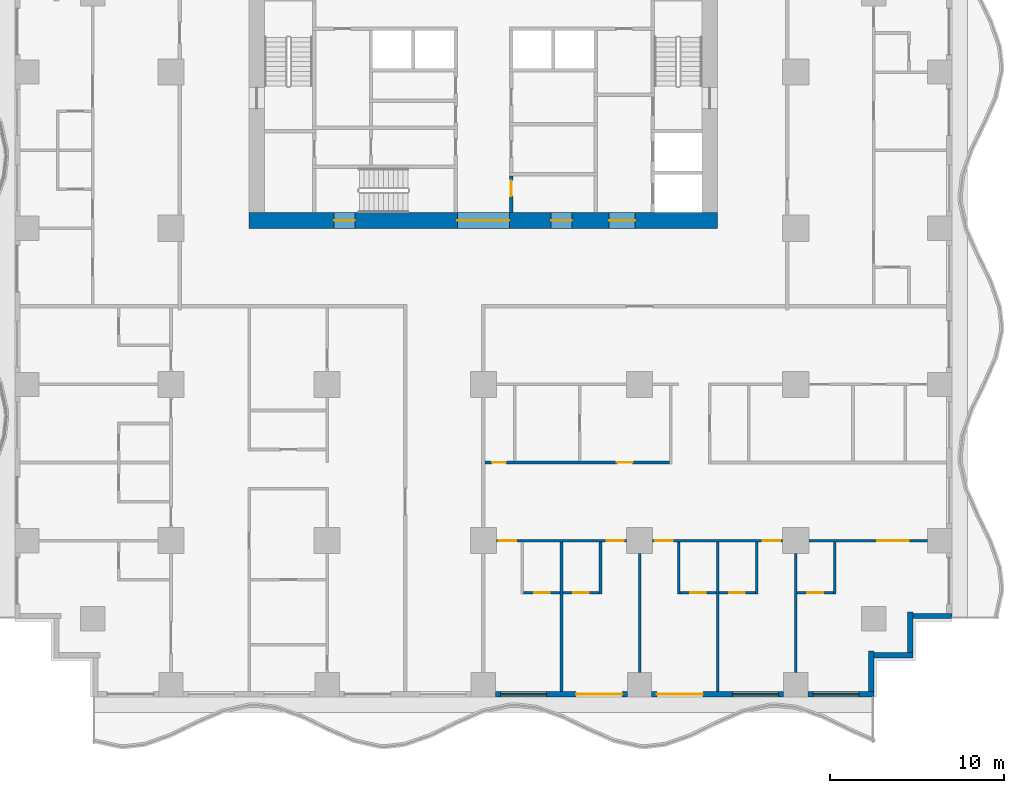
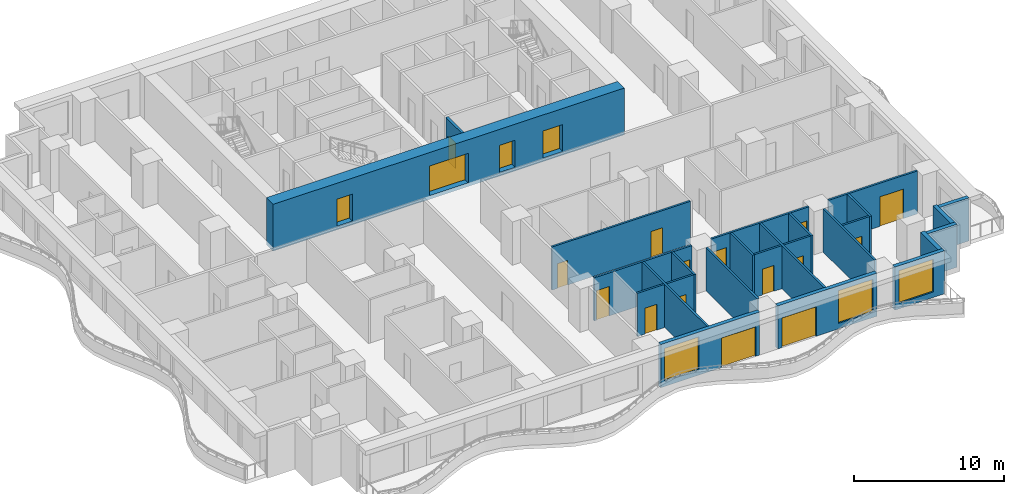
# One storey, part 3 of 14: 26 walls, 19 doors, 3 windows, 22 openings.
"""IFC4 building model written with IfcOpenShell, lengths in metres."""

import ifcopenshell
import ifcopenshell.guid

model = None  # the IFC model being written
_history = None  # IfcOwnerHistory: only IFC2X3 demands one
_inside = {}  # id of a spatial element -> (the spatial element, [elements in it])
_under = {}  # id of a project, library or spatial element -> (it, [spatial elements below it])
_declared = {}  # id of a project -> (the project, [libraries it declares])
_typed = {}  # id of a type object -> (the type object, [elements of that type])
_made_of = {}  # id of a material, layer set ... -> (it, [elements and type objects made of it])


def new_model(schema):
    """Start an empty IFC model of exactly this schema.

    Asked for "IFC4X3", IfcOpenShell would pick the latest addendum, in which some entities
    have other attributes; the version numbers below select the first issue.
    IFC2X3 requires an IfcOwnerHistory on every rooted entity: one is made here for all.
    """
    global model, _history
    if schema == "IFC4X3":
        model = ifcopenshell.file(schema_version=(4, 3, 0, 0))
    else:
        model = ifcopenshell.file(schema=schema)
    _inside.clear()
    _under.clear()
    _declared.clear()
    _typed.clear()
    _made_of.clear()
    _history = None
    if model.schema == "IFC2X3":
        org = make("IfcOrganization", Name="unknown")
        user = make(
            "IfcPersonAndOrganization",
            ThePerson=make("IfcPerson", FamilyName="unknown"),
            TheOrganization=org,
        )
        app = make(
            "IfcApplication",
            ApplicationDeveloper=org,
            Version="unknown",
            ApplicationFullName="unknown",
            ApplicationIdentifier="unknown",
        )
        _history = make(
            "IfcOwnerHistory",
            OwningUser=user,
            OwningApplication=app,
            ChangeAction="ADDED",
            CreationDate=0,
        )
    return model


def make(cls, **values):
    """One entity of the class cls with the attributes given. An attribute that is None is left unset."""
    return model.create_entity(
        cls, **{name: value for name, value in values.items() if value is not None}
    )


def rooted(cls, **values):
    """An entity with a GlobalId (a new one), such as an element, a storey or a relation."""
    return make(cls, GlobalId=ifcopenshell.guid.new(), OwnerHistory=_history, **values)


def si_unit(unit_type, name, prefix=None):
    """IfcSIUnit, for example si_unit("LENGTHUNIT", "METRE", prefix="MILLI")."""
    return make("IfcSIUnit", UnitType=unit_type, Prefix=prefix, Name=name)


def assignment(units):
    """IfcUnitAssignment: the units of a project."""
    return None if units is None else make("IfcUnitAssignment", Units=units)


def point(xyz):
    """IfcCartesianPoint."""
    return None if xyz is None else make("IfcCartesianPoint", Coordinates=xyz)


def direction(xyz):
    """IfcDirection."""
    return None if xyz is None else make("IfcDirection", DirectionRatios=xyz)


def frame(location, z_axis=None, x_axis=None):
    """IfcAxis2Placement3D, a coordinate frame: its origin and axes. An axis left out is left unset."""
    return make(
        "IfcAxis2Placement3D",
        Location=point(location),
        Axis=direction(z_axis),
        RefDirection=direction(x_axis),
    )


def frame_2d(location, x_axis=None):
    """IfcAxis2Placement2D, a coordinate frame in the plane: its origin and x axis."""
    return make(
        "IfcAxis2Placement2D", Location=point(location), RefDirection=direction(x_axis)
    )


def origin():
    """The frame at (0, 0, 0) with its axes left unset."""
    return frame((0.0, 0.0, 0.0))


def place(relative_to, where):
    """IfcLocalPlacement: puts the frame where relative to a parent placement (None: the world)."""
    return make(
        "IfcLocalPlacement", PlacementRelTo=relative_to, RelativePlacement=where
    )


def context(
    kind, dimensions, precision=None, world=None, true_north=None, identifier=None
):
    """IfcGeometricRepresentationContext, for example the 3D "Model" context."""
    return make(
        "IfcGeometricRepresentationContext",
        ContextIdentifier=identifier,
        ContextType=kind,
        CoordinateSpaceDimension=dimensions,
        Precision=precision,
        WorldCoordinateSystem=world,
        TrueNorth=true_north,
    )


def subcontext(parent, identifier, kind, view, scale=None):
    """IfcGeometricRepresentationSubContext, for example "Body" below "Model"."""
    return make(
        "IfcGeometricRepresentationSubContext",
        ContextIdentifier=identifier,
        ContextType=kind,
        ParentContext=parent,
        TargetScale=scale,
        TargetView=view,
    )


def project(units=None, contexts=None):
    """IfcProject with its units and contexts."""
    return rooted(
        "IfcProject",
        Name="project",
        RepresentationContexts=contexts,
        UnitsInContext=assignment(units),
    )


def spatial(cls, under=None, at=None, **own):
    """A site, building, storey or space (cls), placed at a placement, below another one or the project."""
    s = rooted(cls, ObjectPlacement=at, **own)
    if under is not None:
        _under.setdefault(under.id(), (under, []))[1].append(s)
    return s


def profile(cls, at=None, kind="AREA", **sizes):
    """A parametric profile (cls). Its sizes go by their IFC names, for example OverallWidth=200.0."""
    return make(cls, ProfileType=kind, Position=at, **sizes)


def rectangle(**sizes):
    """IfcRectangleProfileDef."""
    return profile("IfcRectangleProfileDef", **sizes)


def extrude(swept, where, along, depth):
    """IfcExtrudedAreaSolid: the profile swept, set in the frame where, extruded along a direction by depth."""
    return make(
        "IfcExtrudedAreaSolid",
        SweptArea=swept,
        Position=where,
        ExtrudedDirection=direction(along),
        Depth=depth,
    )


def shape(context_of_items, identifier, shape_type, items):
    """IfcShapeRepresentation: the items that make up one representation, for example the "Body"."""
    return make(
        "IfcShapeRepresentation",
        ContextOfItems=context_of_items,
        RepresentationIdentifier=identifier,
        RepresentationType=shape_type,
        Items=items,
    )


def material(Name=None, Category=None):
    """IfcMaterial."""
    return make("IfcMaterial", Name=Name, Category=Category)


def layer(
    of_material, thickness, ventilated=None, Name=None, Category=None, Priority=None
):
    """IfcMaterialLayer: one layer of a wall or slab, of a material (None: an air gap)."""
    return make(
        "IfcMaterialLayer",
        Material=of_material,
        LayerThickness=thickness,
        IsVentilated=ventilated,
        Name=Name,
        Category=Category,
        Priority=Priority,
    )


def layer_set(layers, Name=None):
    """IfcMaterialLayerSet."""
    return make("IfcMaterialLayerSet", MaterialLayers=layers, LayerSetName=Name)


def made_of(thing, what):
    """Note that an element or type object is made of a material, layer set ...; save() writes the relation."""
    if what is not None:
        _made_of.setdefault(what.id(), (what, []))[1].append(thing)
    return thing


def type_object(cls, material=None, **own):
    """A type object (cls), such as IfcWallType, which elements share."""
    return made_of(rooted(cls, **own), material)


def element(
    cls,
    number,
    at=None,
    inside=None,
    cuts=None,
    type_object=None,
    material=None,
    context=None,
    identifier="Body",
    shape_type=None,
    held_by="IfcProductDefinitionShape",
    body=None,
    shapes=None,
    **own,
):
    """One element of the class cls, such as IfcWall. Its Tag is "e" and its number.

    at: its placement. inside: the storey or other place that contains it. cuts: it is an
    opening in that element (IfcRelVoidsElement). A single representation is given by context,
    identifier, shape_type and body (its items); several are given by shapes. held_by: the class
    of the entity that holds the representations. save() writes the other relations.
    """
    e = rooted(cls, Tag="e%d" % number, ObjectPlacement=at, **own)
    if body is not None:
        shapes = [shape(context, identifier, shape_type, body)]
    if shapes is not None:
        e.Representation = make(held_by, Representations=shapes)
    if inside is not None:
        _inside.setdefault(inside.id(), (inside, []))[1].append(e)
    if cuts is not None:
        rooted(
            "IfcRelVoidsElement", RelatingBuildingElement=cuts, RelatedOpeningElement=e
        )
    if type_object is not None:
        _typed.setdefault(type_object.id(), (type_object, []))[1].append(e)
    return made_of(e, material)


def fill(opening, filler):
    """IfcRelFillsElement: the door or window that sits in an opening."""
    return rooted(
        "IfcRelFillsElement",
        RelatingOpeningElement=opening,
        RelatedBuildingElement=filler,
    )


def aggregate(whole, parts):
    """IfcRelAggregates: a whole, such as a stair, and the parts it consists of."""
    return rooted("IfcRelAggregates", RelatingObject=whole, RelatedObjects=parts)


def save(model, path):
    """Write the relations noted so far, then the file.

    IfcRelAggregates (storeys below a building ...), IfcRelContainedInSpatialStructure (elements
    in a storey), IfcRelDefinesByType, IfcRelAssociatesMaterial and IfcRelDeclares: one each for
    every whole, place, type object, material and project.
    """
    for whole, parts in _under.values():
        aggregate(whole, parts)
    for where, things in _inside.values():
        rooted(
            "IfcRelContainedInSpatialStructure",
            RelatedElements=things,
            RelatingStructure=where,
        )
    for kind, things in _typed.values():
        rooted("IfcRelDefinesByType", RelatedObjects=things, RelatingType=kind)
    for what, things in _made_of.values():
        rooted("IfcRelAssociatesMaterial", RelatedObjects=things, RelatingMaterial=what)
    for by, libraries in _declared.values():
        rooted("IfcRelDeclares", RelatingContext=by, RelatedDefinitions=libraries)
    model.write(path)


model = new_model("IFC4")

# Units and contexts
model_context = context("Model", 3, precision=1e-05, world=origin(), true_north=direction((0.0, 1.0)))
body_context = subcontext(model_context, "Body", "Model", "MODEL_VIEW")
ifc_project = project(units=[si_unit("LENGTHUNIT", "METRE"), si_unit("AREAUNIT", "SQUARE_METRE"), si_unit("VOLUMEUNIT", "CUBIC_METRE"), si_unit("PLANEANGLEUNIT", "RADIAN"), si_unit("MASSUNIT", "GRAM", prefix="KILO")], contexts=[model_context])

# Site, building, storey
site_placement = place(None, origin())
site = spatial("IfcSite", under=ifc_project, at=site_placement, CompositionType="ELEMENT")
building_placement = place(site_placement, origin())
building = spatial("IfcBuilding", under=site, at=building_placement, Name="Orbiselva Terraces", CompositionType="ELEMENT")
storey_placement = place(building_placement, frame((0.0, 0.0, 49.2)))
storey = spatial("IfcBuildingStorey", under=building, at=storey_placement, Name="L12", CompositionType="ELEMENT", Elevation=49.2)

# Wall, openings, doors
ifc_material_1 = material(Name="Concrete C80/95", Category="concrete")
ifc_layer_1 = layer(ifc_material_1, 0.9)
ifc_layer_set_1 = layer_set([ifc_layer_1], Name="Concrete C80/95")
wall_type_1 = type_object("IfcWallType", Name="CORE WALL 900", PredefinedType="SHEAR", material=ifc_layer_set_1)
wall_1_placement = place(storey_placement, frame((-13.5, 4.95, -0.3), z_axis=(0.0, 0.0, 1.0), x_axis=(1.0, 0.0, 0.0)))
wall_1 = element("IfcWall", 1, at=wall_1_placement, inside=storey, type_object=wall_type_1, Name="Core wall L12 south", PredefinedType="SHEAR", context=body_context, shape_type="SweptSolid", body=[
    extrude(rectangle(XDim=27.0, YDim=0.9, at=frame_2d((13.5, 0.0))), origin(), (0.0, 0.0, 1.0), 3.8),
])
opening_1_placement = place(wall_1_placement, frame((12.0, 0.0, 0.3)))
opening_1 = element("IfcOpeningElement", 2, at=opening_1_placement, cuts=wall_1, Name="Opening DL3000", PredefinedType="OPENING", context=body_context, shape_type="SweptSolid", body=[
    extrude(rectangle(XDim=3.0, YDim=2.4, at=frame_2d((1.5, 1.2))), frame((0.0, 0.46, 0.0), z_axis=(0.0, -1.0, 0.0), x_axis=(1.0, 0.0, 0.0)), (0.0, 0.0, 1.0), 0.92),
])
opening_2_placement = place(wall_1_placement, frame((4.9, 0.0, 0.3)))
opening_2 = element("IfcOpeningElement", 3, at=opening_2_placement, cuts=wall_1, Name="Opening DS1200", PredefinedType="OPENING", context=body_context, shape_type="SweptSolid", body=[
    extrude(rectangle(XDim=1.2, YDim=2.2, at=frame_2d((0.6, 1.1))), frame((0.0, 0.46, 0.0), z_axis=(0.0, -1.0, 0.0), x_axis=(1.0, 0.0, 0.0)), (0.0, 0.0, 1.0), 0.92),
])
opening_3_placement = place(wall_1_placement, frame((20.75, 0.0, 0.3)))
opening_3 = element("IfcOpeningElement", 4, at=opening_3_placement, cuts=wall_1, Name="Opening DF1500", PredefinedType="OPENING", context=body_context, shape_type="SweptSolid", body=[
    extrude(rectangle(XDim=1.5, YDim=2.2, at=frame_2d((0.75, 1.1))), frame((0.0, 0.46, 0.0), z_axis=(0.0, -1.0, 0.0), x_axis=(1.0, 0.0, 0.0)), (0.0, 0.0, 1.0), 0.92),
])
opening_4_placement = place(wall_1_placement, frame((17.4, 0.0, 0.3)))
opening_4 = element("IfcOpeningElement", 5, at=opening_4_placement, cuts=wall_1, Name="Opening DV1200", PredefinedType="OPENING", context=body_context, shape_type="SweptSolid", body=[
    extrude(rectangle(XDim=1.2, YDim=2.2, at=frame_2d((0.6, 1.1))), frame((0.0, 0.46, 0.0), z_axis=(0.0, -1.0, 0.0), x_axis=(1.0, 0.0, 0.0)), (0.0, 0.0, 1.0), 0.92),
])
ifc_material_2 = material(Name="Steel fire door", Category="steel")
door_type_1 = type_object("IfcDoorType", Name="FFL DOOR 1500", OperationType="DOUBLE_DOOR_SINGLE_SWING", PredefinedType="DOOR", material=ifc_material_2)
door_1_placement = place(opening_3_placement, frame((1.5, 0.0, 0.0), z_axis=(0.0, 0.0, 1.0), x_axis=(-1.0, 0.0, 0.0)))
door_1 = element("IfcDoor", 6, at=door_1_placement, inside=storey, type_object=door_type_1, Name="L12 FIRE-FIGHTING LOBBY door", OperationType="DOUBLE_DOOR_SINGLE_SWING", OverallHeight=2.2, OverallWidth=1.5, PredefinedType="DOOR", context=body_context, shape_type="SweptSolid", body=[
    extrude(rectangle(XDim=1.5, YDim=2.2, at=frame_2d((0.75, 1.1))), frame((0.0, 0.025, 0.0), z_axis=(0.0, -1.0, 0.0), x_axis=(1.0, 0.0, 0.0)), (0.0, 0.0, 1.0), 0.05),
])
fill(opening_3, door_1)
door_type_2 = type_object("IfcDoorType", Name="LOBBY DOOR 3000", OperationType="DOUBLE_DOOR_SINGLE_SWING", PredefinedType="DOOR", material=ifc_material_2)
door_2_placement = place(opening_1_placement, frame((3.0, 0.0, 0.0), z_axis=(0.0, 0.0, 1.0), x_axis=(-1.0, 0.0, 0.0)))
door_2 = element("IfcDoor", 7, at=door_2_placement, inside=storey, type_object=door_type_2, Name="L12 LIFT LOBBY door", OperationType="DOUBLE_DOOR_SINGLE_SWING", OverallHeight=2.4, OverallWidth=3.0, PredefinedType="DOOR", context=body_context, shape_type="SweptSolid", body=[
    extrude(rectangle(XDim=3.0, YDim=2.4, at=frame_2d((1.5, 1.2))), frame((0.0, 0.025, 0.0), z_axis=(0.0, -1.0, 0.0), x_axis=(1.0, 0.0, 0.0)), (0.0, 0.0, 1.0), 0.05),
])
fill(opening_1, door_2)
door_type_3 = type_object("IfcDoorType", Name="SERVICE DOOR 1200", OperationType="NOTDEFINED", PredefinedType="DOOR", material=ifc_material_2)
door_3_placement = place(opening_4_placement, frame((1.2, 0.0, 0.0), z_axis=(0.0, 0.0, 1.0), x_axis=(-1.0, 0.0, 0.0)))
door_3 = element("IfcDoor", 8, at=door_3_placement, inside=storey, type_object=door_type_3, Name="L12 ELECTRICAL RISER ROOM door", OperationType="SINGLE_SWING_RIGHT", OverallHeight=2.2, OverallWidth=1.2, PredefinedType="DOOR", context=body_context, shape_type="SweptSolid", body=[
    extrude(rectangle(XDim=1.2, YDim=2.2, at=frame_2d((0.6, 1.1))), frame((0.0, 0.025, 0.0), z_axis=(0.0, -1.0, 0.0), x_axis=(1.0, 0.0, 0.0)), (0.0, 0.0, 1.0), 0.05),
])
fill(opening_4, door_3)
door_type_4 = type_object("IfcDoorType", Name="STAIR DOOR 1200", OperationType="NOTDEFINED", PredefinedType="DOOR", material=ifc_material_2)
door_4_placement = place(opening_2_placement, frame((1.2, 0.0, 0.0), z_axis=(0.0, 0.0, 1.0), x_axis=(-1.0, 0.0, 0.0)))
door_4 = element("IfcDoor", 9, at=door_4_placement, inside=storey, type_object=door_type_4, Name="L12 EXIT STAIR S3 door", OperationType="SINGLE_SWING_LEFT", OverallHeight=2.2, OverallWidth=1.2, PredefinedType="DOOR", context=body_context, shape_type="SweptSolid", body=[
    extrude(rectangle(XDim=1.2, YDim=2.2, at=frame_2d((0.6, 1.1))), frame((0.0, 0.025, 0.0), z_axis=(0.0, -1.0, 0.0), x_axis=(1.0, 0.0, 0.0)), (0.0, 0.0, 1.0), 0.05),
])
fill(opening_2, door_4)

# Wall, opening, door
ifc_material_3 = material(Name="Masonry blockwork", Category="masonry")
ifc_layer_2 = layer(ifc_material_3, 0.2)
ifc_layer_set_2 = layer_set([ifc_layer_2], Name="Masonry blockwork")
wall_type_2 = type_object("IfcWallType", Name="CORE-WALL-PARTITION-200", PredefinedType="PARTITIONING", material=ifc_layer_set_2)
wall_2_placement = place(storey_placement, frame((1.6, 7.5, 0.0), z_axis=(0.0, 0.0, 1.0), x_axis=(0.0, -1.0, 0.0)))
wall_2 = element("IfcWall", 10, at=wall_2_placement, inside=storey, type_object=wall_type_2, Name="L12 core wall 29", PredefinedType="PARTITIONING", context=body_context, shape_type="SweptSolid", body=[
    extrude(rectangle(XDim=2.1, YDim=0.2, at=frame_2d((1.05, 0.0))), origin(), (0.0, 0.0, 1.0), 3.5),
])
opening_5_placement = place(wall_2_placement, frame((0.25, 0.0, 0.0)))
opening_5 = element("IfcOpeningElement", 11, at=opening_5_placement, cuts=wall_2, Name="Opening DR900", PredefinedType="OPENING", context=body_context, shape_type="SweptSolid", body=[
    extrude(rectangle(XDim=0.9, YDim=2.1, at=frame_2d((0.45, 1.05))), frame((0.0, 0.11, 0.0), z_axis=(0.0, -1.0, 0.0), x_axis=(1.0, 0.0, 0.0)), (0.0, 0.0, 1.0), 0.22),
])
door_type_5 = type_object("IfcDoorType", Name="ROOM DOOR 900", OperationType="NOTDEFINED", PredefinedType="DOOR", material=ifc_material_2)
door_5_placement = place(opening_5_placement, origin())
door_5 = element("IfcDoor", 12, at=door_5_placement, inside=storey, type_object=door_type_5, Name="L12 ELECTRICAL RISER ROOM door", OperationType="SINGLE_SWING_LEFT", OverallHeight=2.1, OverallWidth=0.9, PredefinedType="DOOR", context=body_context, shape_type="SweptSolid", body=[
    extrude(rectangle(XDim=0.9, YDim=2.1, at=frame_2d((0.45, 1.05))), frame((0.0, 0.025, 0.0), z_axis=(0.0, -1.0, 0.0), x_axis=(1.0, 0.0, 0.0)), (0.0, 0.0, 1.0), 0.05),
])
fill(opening_5, door_5)

# Wall, openings, door, window
ifc_material_4 = material(Name="Terracotta cladding on masonry backing", Category="masonry")
ifc_layer_3 = layer(ifc_material_4, 0.3)
ifc_layer_set_3 = layer_set([ifc_layer_3], Name="Terracotta cladding on masonry backing")
wall_type_3 = type_object("IfcWallType", Name="ENV-WALL-TERRACOTTA-300", PredefinedType="SOLIDWALL", material=ifc_layer_set_3)
wall_3_placement = place(storey_placement, frame((8.3, -22.35, 0.0), z_axis=(0.0, 0.0, 1.0), x_axis=(-1.0, 0.0, 0.0)))
wall_3 = element("IfcWall", 13, at=wall_3_placement, inside=storey, type_object=wall_type_3, Name="Facade wall L12 S", PredefinedType="SOLIDWALL", context=body_context, shape_type="SweptSolid", body=[
    extrude(rectangle(XDim=7.6, YDim=0.3, at=frame_2d((3.8, 0.0))), origin(), (0.0, 0.0, 1.0), 3.5),
])
opening_6_placement = place(wall_3_placement, frame((4.65, 0.0, 0.45)))
opening_6 = element("IfcOpeningElement", 14, at=opening_6_placement, cuts=wall_3, Name="Opening WN3", PredefinedType="OPENING", context=body_context, shape_type="SweptSolid", body=[
    extrude(rectangle(XDim=2.65, YDim=2.65, at=frame_2d((1.325, 1.325))), frame((0.0, 0.16, 0.0), z_axis=(0.0, -1.0, 0.0), x_axis=(1.0, 0.0, 0.0)), (0.0, 0.0, 1.0), 0.32),
])
opening_7_placement = place(wall_3_placement, frame((0.3, 0.0, 0.0)))
opening_7 = element("IfcOpeningElement", 15, at=opening_7_placement, cuts=wall_3, Name="Opening Z1-D-E03", PredefinedType="OPENING", context=body_context, shape_type="SweptSolid", body=[
    extrude(rectangle(XDim=2.65, YDim=2.4, at=frame_2d((1.325, 1.2))), frame((0.0, 0.16, 0.0), z_axis=(0.0, -1.0, 0.0), x_axis=(1.0, 0.0, 0.0)), (0.0, 0.0, 1.0), 0.32),
])
ifc_material_5 = material(Name="Clear low-e glazing in aluminium frame", Category="aluminium")
door_type_6 = type_object("IfcDoorType", Name="BALCONY DOOR 2650 X 2400", OperationType="DOUBLE_DOOR_SLIDING", PredefinedType="DOOR", material=ifc_material_5)
door_6_placement = place(opening_7_placement, origin())
door_6 = element("IfcDoor", 16, at=door_6_placement, inside=storey, type_object=door_type_6, Name="Z1-D-E03", OperationType="SINGLE_SWING_LEFT", OverallHeight=2.4, OverallWidth=2.65, PredefinedType="DOOR", context=body_context, shape_type="SweptSolid", body=[
    extrude(rectangle(XDim=2.65, YDim=2.4, at=frame_2d((1.325, 1.2))), frame((0.0, 0.025, 0.0), z_axis=(0.0, -1.0, 0.0), x_axis=(1.0, 0.0, 0.0)), (0.0, 0.0, 1.0), 0.05),
])
fill(opening_7, door_6)
window_type = type_object("IfcWindowType", Name="WINDOW 2650 X 2650 S450", PartitioningType="TRIPLE_PANEL_VERTICAL", PredefinedType="WINDOW", material=ifc_material_5)
window_1_placement = place(opening_6_placement, origin())
window_1 = element("IfcWindow", 17, at=window_1_placement, inside=storey, type_object=window_type, Name="Window L12 S", OverallHeight=2.65, OverallWidth=2.65, PartitioningType="SINGLE_PANEL", PredefinedType="WINDOW", context=body_context, shape_type="SweptSolid", body=[
    extrude(rectangle(XDim=2.65, YDim=2.65, at=frame_2d((1.325, 1.325))), frame((0.0, 0.03, 0.0), z_axis=(0.0, -1.0, 0.0), x_axis=(1.0, 0.0, 0.0)), (0.0, 0.0, 1.0), 0.06),
])
fill(opening_6, window_1)

wall_4_placement = place(storey_placement, frame((17.3, -22.35, 0.0), z_axis=(0.0, 0.0, 1.0), x_axis=(-1.0, 0.0, 0.0)))
wall_4 = element("IfcWall", 18, at=wall_4_placement, inside=storey, type_object=wall_type_3, Name="Facade wall L12 S", PredefinedType="SOLIDWALL", context=body_context, shape_type="SweptSolid", body=[
    extrude(rectangle(XDim=7.6, YDim=0.3, at=frame_2d((3.8, 0.0))), origin(), (0.0, 0.0, 1.0), 3.5),
])
opening_8_placement = place(wall_4_placement, frame((4.65, 0.0, 0.0)))
opening_8 = element("IfcOpeningElement", 19, at=opening_8_placement, cuts=wall_4, Name="Opening Z1-D-E04", PredefinedType="OPENING", context=body_context, shape_type="SweptSolid", body=[
    extrude(rectangle(XDim=2.65, YDim=2.4, at=frame_2d((1.325, 1.2))), frame((0.0, 0.16, 0.0), z_axis=(0.0, -1.0, 0.0), x_axis=(1.0, 0.0, 0.0)), (0.0, 0.0, 1.0), 0.32),
])
opening_9_placement = place(wall_4_placement, frame((0.3, 0.0, 0.45)))
opening_9 = element("IfcOpeningElement", 20, at=opening_9_placement, cuts=wall_4, Name="Opening WN3", PredefinedType="OPENING", context=body_context, shape_type="SweptSolid", body=[
    extrude(rectangle(XDim=2.65, YDim=2.65, at=frame_2d((1.325, 1.325))), frame((0.0, 0.16, 0.0), z_axis=(0.0, -1.0, 0.0), x_axis=(1.0, 0.0, 0.0)), (0.0, 0.0, 1.0), 0.32),
])
door_7_placement = place(opening_8_placement, origin())
door_7 = element("IfcDoor", 21, at=door_7_placement, inside=storey, type_object=door_type_6, Name="Z1-D-E04", OperationType="SINGLE_SWING_LEFT", OverallHeight=2.4, OverallWidth=2.65, PredefinedType="DOOR", context=body_context, shape_type="SweptSolid", body=[
    extrude(rectangle(XDim=2.65, YDim=2.4, at=frame_2d((1.325, 1.2))), frame((0.0, 0.025, 0.0), z_axis=(0.0, -1.0, 0.0), x_axis=(1.0, 0.0, 0.0)), (0.0, 0.0, 1.0), 0.05),
])
fill(opening_8, door_7)
window_2_placement = place(opening_9_placement, origin())
window_2 = element("IfcWindow", 22, at=window_2_placement, inside=storey, type_object=window_type, Name="Window L12 S", OverallHeight=2.65, OverallWidth=2.65, PartitioningType="SINGLE_PANEL", PredefinedType="WINDOW", context=body_context, shape_type="SweptSolid", body=[
    extrude(rectangle(XDim=2.65, YDim=2.65, at=frame_2d((1.325, 1.325))), frame((0.0, 0.03, 0.0), z_axis=(0.0, -1.0, 0.0), x_axis=(1.0, 0.0, 0.0)), (0.0, 0.0, 1.0), 0.06),
])
fill(opening_9, window_2)

# Wall, opening, window
wall_5_placement = place(storey_placement, frame((22.5, -22.35, 0.0), z_axis=(0.0, 0.0, 1.0), x_axis=(-1.0, 0.0, 0.0)))
wall_5 = element("IfcWall", 23, at=wall_5_placement, inside=storey, type_object=wall_type_3, Name="Facade wall L12 S", PredefinedType="SOLIDWALL", context=body_context, shape_type="SweptSolid", body=[
    extrude(rectangle(XDim=3.8, YDim=0.3, at=frame_2d((1.9, 0.0))), origin(), (0.0, 0.0, 1.0), 3.5),
])
opening_10_placement = place(wall_5_placement, frame((0.85, 0.0, 0.45)))
opening_10 = element("IfcOpeningElement", 24, at=opening_10_placement, cuts=wall_5, Name="Opening WN3", PredefinedType="OPENING", context=body_context, shape_type="SweptSolid", body=[
    extrude(rectangle(XDim=2.65, YDim=2.65, at=frame_2d((1.325, 1.325))), frame((0.0, 0.16, 0.0), z_axis=(0.0, -1.0, 0.0), x_axis=(1.0, 0.0, 0.0)), (0.0, 0.0, 1.0), 0.32),
])
window_3_placement = place(opening_10_placement, origin())
window_3 = element("IfcWindow", 25, at=window_3_placement, inside=storey, type_object=window_type, Name="Window L12 S", OverallHeight=2.65, OverallWidth=2.65, PartitioningType="SINGLE_PANEL", PredefinedType="WINDOW", context=body_context, shape_type="SweptSolid", body=[
    extrude(rectangle(XDim=2.65, YDim=2.65, at=frame_2d((1.325, 1.325))), frame((0.0, 0.03, 0.0), z_axis=(0.0, -1.0, 0.0), x_axis=(1.0, 0.0, 0.0)), (0.0, 0.0, 1.0), 0.06),
])
fill(opening_10, window_3)

# Walls
wall_6_placement = place(storey_placement, frame((22.35, -19.85, 0.0), z_axis=(0.0, 0.0, 1.0), x_axis=(0.0, -1.0, 0.0)))
element("IfcWall", 26, at=wall_6_placement, inside=storey, type_object=wall_type_3, Name="Facade wall L12 STEP", PredefinedType="SOLIDWALL", context=body_context, shape_type="SweptSolid", body=[
    extrude(rectangle(XDim=2.35, YDim=0.3, at=frame_2d((1.175, 0.0))), origin(), (0.0, 0.0, 1.0), 3.5),
])
wall_7_placement = place(storey_placement, frame((24.75, -20.1, 0.0), z_axis=(0.0, 0.0, 1.0), x_axis=(-1.0, 0.0, 0.0)))
element("IfcWall", 27, at=wall_7_placement, inside=storey, type_object=wall_type_3, Name="Facade wall L12 STEP", PredefinedType="SOLIDWALL", context=body_context, shape_type="SweptSolid", body=[
    extrude(rectangle(XDim=2.25, YDim=0.3, at=frame_2d((1.125, 0.0))), origin(), (0.0, 0.0, 1.0), 3.5),
])
wall_8_placement = place(storey_placement, frame((24.6, -17.6, 0.0), z_axis=(0.0, 0.0, 1.0), x_axis=(0.0, -1.0, 0.0)))
element("IfcWall", 28, at=wall_8_placement, inside=storey, type_object=wall_type_3, Name="Facade wall L12 STEP", PredefinedType="SOLIDWALL", context=body_context, shape_type="SweptSolid", body=[
    extrude(rectangle(XDim=2.35, YDim=0.3, at=frame_2d((1.175, 0.0))), origin(), (0.0, 0.0, 1.0), 3.5),
])
wall_9_placement = place(storey_placement, frame((27.0, -17.85, 0.0), z_axis=(0.0, 0.0, 1.0), x_axis=(-1.0, 0.0, 0.0)))
element("IfcWall", 29, at=wall_9_placement, inside=storey, type_object=wall_type_3, Name="Facade wall L12 STEP", PredefinedType="SOLIDWALL", context=body_context, shape_type="SweptSolid", body=[
    extrude(rectangle(XDim=2.25, YDim=0.3, at=frame_2d((1.125, 0.0))), origin(), (0.0, 0.0, 1.0), 3.5),
])

# Wall, opening, door
ifc_material_6 = material(Name="Plasterboard on steel stud partition", Category="steel")
ifc_layer_4 = layer(ifc_material_6, 0.15)
ifc_layer_set_4 = layer_set([ifc_layer_4], Name="Plasterboard on steel stud partition")
wall_type_4 = type_object("IfcWallType", Name="UNIT-PARTITION-150", PredefinedType="PARTITIONING", material=ifc_layer_set_4)
wall_10_placement = place(storey_placement, frame((2.325, -16.5, 0.0), z_axis=(0.0, 0.0, 1.0), x_axis=(1.0, 0.0, 0.0)))
wall_10 = element("IfcWall", 30, at=wall_10_placement, inside=storey, type_object=wall_type_4, Name="PARTITION L12-002", PredefinedType="PARTITIONING", context=body_context, shape_type="SweptSolid", body=[
    extrude(rectangle(XDim=2.1, YDim=0.15, at=frame_2d((1.05, 0.0))), origin(), (0.0, 0.0, 1.0), 3.5),
])
opening_11_placement = place(wall_10_placement, frame((0.6, 0.0, 0.0)))
opening_11 = element("IfcOpeningElement", 31, at=opening_11_placement, cuts=wall_10, Name="Opening Z1-D-44", PredefinedType="OPENING", context=body_context, shape_type="SweptSolid", body=[
    extrude(rectangle(XDim=0.9, YDim=2.1, at=frame_2d((0.45, 1.05))), frame((0.0, 0.085, 0.0), z_axis=(0.0, -1.0, 0.0), x_axis=(1.0, 0.0, 0.0)), (0.0, 0.0, 1.0), 0.17),
])
ifc_material_7 = material(Name="Painted timber door leaf", Category="wood")
door_type_7 = type_object("IfcDoorType", Name="BATH DOOR 900", OperationType="NOTDEFINED", PredefinedType="DOOR", material=ifc_material_7)
door_8_placement = place(opening_11_placement, origin())
door_8 = element("IfcDoor", 32, at=door_8_placement, inside=storey, type_object=door_type_7, Name="Z1-D-44", OperationType="SINGLE_SWING_RIGHT", OverallHeight=2.1, OverallWidth=0.9, PredefinedType="DOOR", context=body_context, shape_type="SweptSolid", body=[
    extrude(rectangle(XDim=0.9, YDim=2.1, at=frame_2d((0.45, 1.05))), frame((0.0, 0.025, 0.0), z_axis=(0.0, -1.0, 0.0), x_axis=(1.0, 0.0, 0.0)), (0.0, 0.0, 1.0), 0.05),
])
fill(opening_11, door_8)

wall_11_placement = place(storey_placement, frame((4.575, -16.5, 0.0), z_axis=(0.0, 0.0, 1.0), x_axis=(1.0, 0.0, 0.0)))
wall_11 = element("IfcWall", 33, at=wall_11_placement, inside=storey, type_object=wall_type_4, Name="PARTITION L12-003", PredefinedType="PARTITIONING", context=body_context, shape_type="SweptSolid", body=[
    extrude(rectangle(XDim=2.1, YDim=0.15, at=frame_2d((1.05, 0.0))), origin(), (0.0, 0.0, 1.0), 3.5),
])
opening_12_placement = place(wall_11_placement, frame((0.6, 0.0, 0.0)))
opening_12 = element("IfcOpeningElement", 34, at=opening_12_placement, cuts=wall_11, Name="Opening Z1-D-42", PredefinedType="OPENING", context=body_context, shape_type="SweptSolid", body=[
    extrude(rectangle(XDim=0.9, YDim=2.1, at=frame_2d((0.45, 1.05))), frame((0.0, 0.085, 0.0), z_axis=(0.0, -1.0, 0.0), x_axis=(1.0, 0.0, 0.0)), (0.0, 0.0, 1.0), 0.17),
])
door_9_placement = place(opening_12_placement, origin())
door_9 = element("IfcDoor", 35, at=door_9_placement, inside=storey, type_object=door_type_7, Name="Z1-D-42", OperationType="SINGLE_SWING_LEFT", OverallHeight=2.1, OverallWidth=0.9, PredefinedType="DOOR", context=body_context, shape_type="SweptSolid", body=[
    extrude(rectangle(XDim=0.9, YDim=2.1, at=frame_2d((0.45, 1.05))), frame((0.0, 0.025, 0.0), z_axis=(0.0, -1.0, 0.0), x_axis=(1.0, 0.0, 0.0)), (0.0, 0.0, 1.0), 0.05),
])
fill(opening_12, door_9)

wall_12_placement = place(storey_placement, frame((11.325, -16.5, 0.0), z_axis=(0.0, 0.0, 1.0), x_axis=(1.0, 0.0, 0.0)))
wall_12 = element("IfcWall", 36, at=wall_12_placement, inside=storey, type_object=wall_type_4, Name="PARTITION L12-004", PredefinedType="PARTITIONING", context=body_context, shape_type="SweptSolid", body=[
    extrude(rectangle(XDim=2.1, YDim=0.15, at=frame_2d((1.05, 0.0))), origin(), (0.0, 0.0, 1.0), 3.5),
])
opening_13_placement = place(wall_12_placement, frame((0.6, 0.0, 0.0)))
opening_13 = element("IfcOpeningElement", 37, at=opening_13_placement, cuts=wall_12, Name="Opening Z1-D-40", PredefinedType="OPENING", context=body_context, shape_type="SweptSolid", body=[
    extrude(rectangle(XDim=0.9, YDim=2.1, at=frame_2d((0.45, 1.05))), frame((0.0, 0.085, 0.0), z_axis=(0.0, -1.0, 0.0), x_axis=(1.0, 0.0, 0.0)), (0.0, 0.0, 1.0), 0.17),
])
door_10_placement = place(opening_13_placement, origin())
door_10 = element("IfcDoor", 38, at=door_10_placement, inside=storey, type_object=door_type_7, Name="Z1-D-40", OperationType="SINGLE_SWING_LEFT", OverallHeight=2.1, OverallWidth=0.9, PredefinedType="DOOR", context=body_context, shape_type="SweptSolid", body=[
    extrude(rectangle(XDim=0.9, YDim=2.1, at=frame_2d((0.45, 1.05))), frame((0.0, 0.025, 0.0), z_axis=(0.0, -1.0, 0.0), x_axis=(1.0, 0.0, 0.0)), (0.0, 0.0, 1.0), 0.05),
])
fill(opening_13, door_10)

wall_13_placement = place(storey_placement, frame((13.575, -16.5, 0.0), z_axis=(0.0, 0.0, 1.0), x_axis=(1.0, 0.0, 0.0)))
wall_13 = element("IfcWall", 39, at=wall_13_placement, inside=storey, type_object=wall_type_4, Name="PARTITION L12-005", PredefinedType="PARTITIONING", context=body_context, shape_type="SweptSolid", body=[
    extrude(rectangle(XDim=2.1, YDim=0.15, at=frame_2d((1.05, 0.0))), origin(), (0.0, 0.0, 1.0), 3.5),
])
opening_14_placement = place(wall_13_placement, frame((0.6, 0.0, 0.0)))
opening_14 = element("IfcOpeningElement", 40, at=opening_14_placement, cuts=wall_13, Name="Opening Z1-D-38", PredefinedType="OPENING", context=body_context, shape_type="SweptSolid", body=[
    extrude(rectangle(XDim=0.9, YDim=2.1, at=frame_2d((0.45, 1.05))), frame((0.0, 0.085, 0.0), z_axis=(0.0, -1.0, 0.0), x_axis=(1.0, 0.0, 0.0)), (0.0, 0.0, 1.0), 0.17),
])
door_11_placement = place(opening_14_placement, origin())
door_11 = element("IfcDoor", 41, at=door_11_placement, inside=storey, type_object=door_type_7, Name="Z1-D-38", OperationType="SINGLE_SWING_LEFT", OverallHeight=2.1, OverallWidth=0.9, PredefinedType="DOOR", context=body_context, shape_type="SweptSolid", body=[
    extrude(rectangle(XDim=0.9, YDim=2.1, at=frame_2d((0.45, 1.05))), frame((0.0, 0.025, 0.0), z_axis=(0.0, -1.0, 0.0), x_axis=(1.0, 0.0, 0.0)), (0.0, 0.0, 1.0), 0.05),
])
fill(opening_14, door_11)

wall_14_placement = place(storey_placement, frame((18.075, -16.5, 0.0), z_axis=(0.0, 0.0, 1.0), x_axis=(1.0, 0.0, 0.0)))
wall_14 = element("IfcWall", 42, at=wall_14_placement, inside=storey, type_object=wall_type_4, Name="PARTITION L12-006", PredefinedType="PARTITIONING", context=body_context, shape_type="SweptSolid", body=[
    extrude(rectangle(XDim=2.1, YDim=0.15, at=frame_2d((1.05, 0.0))), origin(), (0.0, 0.0, 1.0), 3.5),
])
opening_15_placement = place(wall_14_placement, frame((0.6, 0.0, 0.0)))
opening_15 = element("IfcOpeningElement", 43, at=opening_15_placement, cuts=wall_14, Name="Opening Z1-D-36", PredefinedType="OPENING", context=body_context, shape_type="SweptSolid", body=[
    extrude(rectangle(XDim=0.9, YDim=2.1, at=frame_2d((0.45, 1.05))), frame((0.0, 0.085, 0.0), z_axis=(0.0, -1.0, 0.0), x_axis=(1.0, 0.0, 0.0)), (0.0, 0.0, 1.0), 0.17),
])
door_12_placement = place(opening_15_placement, origin())
door_12 = element("IfcDoor", 44, at=door_12_placement, inside=storey, type_object=door_type_7, Name="Z1-D-36", OperationType="SINGLE_SWING_LEFT", OverallHeight=2.1, OverallWidth=0.9, PredefinedType="DOOR", context=body_context, shape_type="SweptSolid", body=[
    extrude(rectangle(XDim=0.9, YDim=2.1, at=frame_2d((0.45, 1.05))), frame((0.0, 0.025, 0.0), z_axis=(0.0, -1.0, 0.0), x_axis=(1.0, 0.0, 0.0)), (0.0, 0.0, 1.0), 0.05),
])
fill(opening_15, door_12)

# Wall, openings, doors
wall_15_placement = place(storey_placement, frame((8.25, -13.5, 0.0), z_axis=(0.0, 0.0, 1.0), x_axis=(-1.0, 0.0, 0.0)))
wall_15 = element("IfcWall", 45, at=wall_15_placement, inside=storey, type_object=wall_type_4, Name="PARTITION L12-010", PredefinedType="PARTITIONING", context=body_context, shape_type="SweptSolid", body=[
    extrude(rectangle(XDim=7.5, YDim=0.15, at=frame_2d((3.75, 0.0))), origin(), (0.0, 0.0, 1.0), 3.5),
])
opening_16_placement = place(wall_15_placement, frame((0.15, 0.0, 0.0)))
opening_16 = element("IfcOpeningElement", 46, at=opening_16_placement, cuts=wall_15, Name="Opening Z1-D-41", PredefinedType="OPENING", context=body_context, shape_type="SweptSolid", body=[
    extrude(rectangle(XDim=1.0, YDim=2.4, at=frame_2d((0.5, 1.2))), frame((0.0, 0.085, 0.0), z_axis=(0.0, -1.0, 0.0), x_axis=(1.0, 0.0, 0.0)), (0.0, 0.0, 1.0), 0.17),
])
opening_17_placement = place(wall_15_placement, frame((6.35, 0.0, 0.0)))
opening_17 = element("IfcOpeningElement", 47, at=opening_17_placement, cuts=wall_15, Name="Opening Z1-D-43", PredefinedType="OPENING", context=body_context, shape_type="SweptSolid", body=[
    extrude(rectangle(XDim=1.0, YDim=2.4, at=frame_2d((0.5, 1.2))), frame((0.0, 0.085, 0.0), z_axis=(0.0, -1.0, 0.0), x_axis=(1.0, 0.0, 0.0)), (0.0, 0.0, 1.0), 0.17),
])
door_type_8 = type_object("IfcDoorType", Name="ROOM DOOR 1000", OperationType="NOTDEFINED", PredefinedType="DOOR", material=ifc_material_7)
door_13_placement = place(opening_16_placement, origin())
door_13 = element("IfcDoor", 48, at=door_13_placement, inside=storey, type_object=door_type_8, Name="Z1-D-41", OperationType="SINGLE_SWING_LEFT", OverallHeight=2.4, OverallWidth=1.0, PredefinedType="DOOR", context=body_context, shape_type="SweptSolid", body=[
    extrude(rectangle(XDim=1.0, YDim=2.4, at=frame_2d((0.5, 1.2))), frame((0.0, 0.025, 0.0), z_axis=(0.0, -1.0, 0.0), x_axis=(1.0, 0.0, 0.0)), (0.0, 0.0, 1.0), 0.05),
])
fill(opening_16, door_13)
door_14_placement = place(opening_17_placement, origin())
door_14 = element("IfcDoor", 49, at=door_14_placement, inside=storey, type_object=door_type_8, Name="Z1-D-43", OperationType="SINGLE_SWING_RIGHT", OverallHeight=2.4, OverallWidth=1.0, PredefinedType="DOOR", context=body_context, shape_type="SweptSolid", body=[
    extrude(rectangle(XDim=1.0, YDim=2.4, at=frame_2d((0.5, 1.2))), frame((0.0, 0.025, 0.0), z_axis=(0.0, -1.0, 0.0), x_axis=(1.0, 0.0, 0.0)), (0.0, 0.0, 1.0), 0.05),
])
fill(opening_17, door_14)

wall_16_placement = place(storey_placement, frame((17.25, -13.5, 0.0), z_axis=(0.0, 0.0, 1.0), x_axis=(-1.0, 0.0, 0.0)))
wall_16 = element("IfcWall", 50, at=wall_16_placement, inside=storey, type_object=wall_type_4, Name="PARTITION L12-011", PredefinedType="PARTITIONING", context=body_context, shape_type="SweptSolid", body=[
    extrude(rectangle(XDim=7.5, YDim=0.15, at=frame_2d((3.75, 0.0))), origin(), (0.0, 0.0, 1.0), 3.5),
])
opening_18_placement = place(wall_16_placement, frame((0.15, 0.0, 0.0)))
opening_18 = element("IfcOpeningElement", 51, at=opening_18_placement, cuts=wall_16, Name="Opening Z1-D-37", PredefinedType="OPENING", context=body_context, shape_type="SweptSolid", body=[
    extrude(rectangle(XDim=1.0, YDim=2.4, at=frame_2d((0.5, 1.2))), frame((0.0, 0.085, 0.0), z_axis=(0.0, -1.0, 0.0), x_axis=(1.0, 0.0, 0.0)), (0.0, 0.0, 1.0), 0.17),
])
opening_19_placement = place(wall_16_placement, frame((6.35, 0.0, 0.0)))
opening_19 = element("IfcOpeningElement", 52, at=opening_19_placement, cuts=wall_16, Name="Opening Z1-D-39", PredefinedType="OPENING", context=body_context, shape_type="SweptSolid", body=[
    extrude(rectangle(XDim=1.0, YDim=2.4, at=frame_2d((0.5, 1.2))), frame((0.0, 0.085, 0.0), z_axis=(0.0, -1.0, 0.0), x_axis=(1.0, 0.0, 0.0)), (0.0, 0.0, 1.0), 0.17),
])
door_15_placement = place(opening_18_placement, origin())
door_15 = element("IfcDoor", 53, at=door_15_placement, inside=storey, type_object=door_type_8, Name="Z1-D-37", OperationType="SINGLE_SWING_LEFT", OverallHeight=2.4, OverallWidth=1.0, PredefinedType="DOOR", context=body_context, shape_type="SweptSolid", body=[
    extrude(rectangle(XDim=1.0, YDim=2.4, at=frame_2d((0.5, 1.2))), frame((0.0, 0.025, 0.0), z_axis=(0.0, -1.0, 0.0), x_axis=(1.0, 0.0, 0.0)), (0.0, 0.0, 1.0), 0.05),
])
fill(opening_18, door_15)
door_16_placement = place(opening_19_placement, origin())
door_16 = element("IfcDoor", 54, at=door_16_placement, inside=storey, type_object=door_type_8, Name="Z1-D-39", OperationType="SINGLE_SWING_RIGHT", OverallHeight=2.4, OverallWidth=1.0, PredefinedType="DOOR", context=body_context, shape_type="SweptSolid", body=[
    extrude(rectangle(XDim=1.0, YDim=2.4, at=frame_2d((0.5, 1.2))), frame((0.0, 0.025, 0.0), z_axis=(0.0, -1.0, 0.0), x_axis=(1.0, 0.0, 0.0)), (0.0, 0.0, 1.0), 0.05),
])
fill(opening_19, door_16)

# Wall, opening, door
wall_17_placement = place(storey_placement, frame((25.6, -13.5, 0.0), z_axis=(0.0, 0.0, 1.0), x_axis=(-1.0, 0.0, 0.0)))
wall_17 = element("IfcWall", 55, at=wall_17_placement, inside=storey, type_object=wall_type_4, Name="PARTITION L12-012", PredefinedType="PARTITIONING", context=body_context, shape_type="SweptSolid", body=[
    extrude(rectangle(XDim=6.85, YDim=0.15, at=frame_2d((3.425, 0.0))), origin(), (0.0, 0.0, 1.0), 3.5),
])
opening_20_placement = place(wall_17_placement, frame((1.1, 0.0, 0.0)))
opening_20 = element("IfcOpeningElement", 56, at=opening_20_placement, cuts=wall_17, Name="Opening Z1-D-35", PredefinedType="OPENING", context=body_context, shape_type="SweptSolid", body=[
    extrude(rectangle(XDim=1.8, YDim=2.4, at=frame_2d((0.9, 1.2))), frame((0.0, 0.085, 0.0), z_axis=(0.0, -1.0, 0.0), x_axis=(1.0, 0.0, 0.0)), (0.0, 0.0, 1.0), 0.17),
])
door_type_9 = type_object("IfcDoorType", Name="DOUBLE DOOR 1800", OperationType="NOTDEFINED", PredefinedType="DOOR", material=ifc_material_7)
door_17_placement = place(opening_20_placement, origin())
door_17 = element("IfcDoor", 57, at=door_17_placement, inside=storey, type_object=door_type_9, Name="Z1-D-35", OperationType="DOUBLE_DOOR_SINGLE_SWING", OverallHeight=2.4, OverallWidth=1.8, PredefinedType="DOOR", context=body_context, shape_type="SweptSolid", body=[
    extrude(rectangle(XDim=1.8, YDim=2.4, at=frame_2d((0.9, 1.2))), frame((0.0, 0.025, 0.0), z_axis=(0.0, -1.0, 0.0), x_axis=(1.0, 0.0, 0.0)), (0.0, 0.0, 1.0), 0.05),
])
fill(opening_20, door_17)

# Wall, openings, doors
wall_18_placement = place(storey_placement, frame((0.1, -9.0, 0.0), z_axis=(0.0, 0.0, 1.0), x_axis=(1.0, 0.0, 0.0)))
wall_18 = element("IfcWall", 58, at=wall_18_placement, inside=storey, type_object=wall_type_4, Name="PARTITION L12-017", PredefinedType="PARTITIONING", context=body_context, shape_type="SweptSolid", body=[
    extrude(rectangle(XDim=10.625, YDim=0.15, at=frame_2d((5.3125, 0.0))), origin(), (0.0, 0.0, 1.0), 3.5),
])
opening_21_placement = place(wall_18_placement, frame((7.6, 0.0, 0.0)))
opening_21 = element("IfcOpeningElement", 59, at=opening_21_placement, cuts=wall_18, Name="Opening Z1-D-32", PredefinedType="OPENING", context=body_context, shape_type="SweptSolid", body=[
    extrude(rectangle(XDim=0.9, YDim=2.1, at=frame_2d((0.45, 1.05))), frame((0.0, 0.085, 0.0), z_axis=(0.0, -1.0, 0.0), x_axis=(1.0, 0.0, 0.0)), (0.0, 0.0, 1.0), 0.17),
])
opening_22_placement = place(wall_18_placement, frame((0.4, 0.0, 0.0)))
opening_22 = element("IfcOpeningElement", 60, at=opening_22_placement, cuts=wall_18, Name="Opening Z1-D-34", PredefinedType="OPENING", context=body_context, shape_type="SweptSolid", body=[
    extrude(rectangle(XDim=0.8, YDim=2.0, at=frame_2d((0.4, 1.0))), frame((0.0, 0.085, 0.0), z_axis=(0.0, -1.0, 0.0), x_axis=(1.0, 0.0, 0.0)), (0.0, 0.0, 1.0), 0.17),
])
door_type_10 = type_object("IfcDoorType", Name="SERVICE DOOR 900", OperationType="NOTDEFINED", PredefinedType="DOOR", material=ifc_material_7)
door_18_placement = place(opening_21_placement, origin())
door_18 = element("IfcDoor", 61, at=door_18_placement, inside=storey, type_object=door_type_10, Name="Z1-D-32", OperationType="SINGLE_SWING_RIGHT", OverallHeight=2.1, OverallWidth=0.9, PredefinedType="DOOR", context=body_context, shape_type="SweptSolid", body=[
    extrude(rectangle(XDim=0.9, YDim=2.1, at=frame_2d((0.45, 1.05))), frame((0.0, 0.025, 0.0), z_axis=(0.0, -1.0, 0.0), x_axis=(1.0, 0.0, 0.0)), (0.0, 0.0, 1.0), 0.05),
])
fill(opening_21, door_18)
door_type_11 = type_object("IfcDoorType", Name="STORE DOOR 800", OperationType="NOTDEFINED", PredefinedType="DOOR", material=ifc_material_7)
door_19_placement = place(opening_22_placement, origin())
door_19 = element("IfcDoor", 62, at=door_19_placement, inside=storey, type_object=door_type_11, Name="Z1-D-34", OperationType="SINGLE_SWING_LEFT", OverallHeight=2.0, OverallWidth=0.8, PredefinedType="DOOR", context=body_context, shape_type="SweptSolid", body=[
    extrude(rectangle(XDim=0.8, YDim=2.0, at=frame_2d((0.4, 1.0))), frame((0.0, 0.025, 0.0), z_axis=(0.0, -1.0, 0.0), x_axis=(1.0, 0.0, 0.0)), (0.0, 0.0, 1.0), 0.05),
])
fill(opening_22, door_19)

# Walls
wall_19_placement = place(storey_placement, frame((4.5, -22.2, 0.0), z_axis=(0.0, 0.0, 1.0), x_axis=(0.0, 1.0, 0.0)))
element("IfcWall", 63, at=wall_19_placement, inside=storey, type_object=wall_type_4, Name="PARTITION L12-065", PredefinedType="PARTITIONING", context=body_context, shape_type="SweptSolid", body=[
    extrude(rectangle(XDim=8.625, YDim=0.15, at=frame_2d((4.3125, 0.0))), origin(), (0.0, 0.0, 1.0), 3.5),
])
wall_20_placement = place(storey_placement, frame((6.75, -16.575, 0.0), z_axis=(0.0, 0.0, 1.0), x_axis=(0.0, 1.0, 0.0)))
element("IfcWall", 64, at=wall_20_placement, inside=storey, type_object=wall_type_4, Name="PARTITION L12-067", PredefinedType="PARTITIONING", context=body_context, shape_type="SweptSolid", body=[
    extrude(rectangle(XDim=3.0, YDim=0.15, at=frame_2d((1.5, 0.0))), origin(), (0.0, 0.0, 1.0), 3.5),
])
wall_21_placement = place(storey_placement, frame((9.0, -21.1, 0.0), z_axis=(0.0, 0.0, 1.0), x_axis=(0.0, 1.0, 0.0)))
element("IfcWall", 65, at=wall_21_placement, inside=storey, type_object=wall_type_4, Name="PARTITION L12-068", PredefinedType="PARTITIONING", context=body_context, shape_type="SweptSolid", body=[
    extrude(rectangle(XDim=6.85, YDim=0.15, at=frame_2d((3.425, 0.0))), origin(), (0.0, 0.0, 1.0), 3.5),
])
wall_22_placement = place(storey_placement, frame((11.25, -16.575, 0.0), z_axis=(0.0, 0.0, 1.0), x_axis=(0.0, 1.0, 0.0)))
element("IfcWall", 66, at=wall_22_placement, inside=storey, type_object=wall_type_4, Name="PARTITION L12-070", PredefinedType="PARTITIONING", context=body_context, shape_type="SweptSolid", body=[
    extrude(rectangle(XDim=3.0, YDim=0.15, at=frame_2d((1.5, 0.0))), origin(), (0.0, 0.0, 1.0), 3.5),
])
wall_23_placement = place(storey_placement, frame((13.5, -22.2, 0.0), z_axis=(0.0, 0.0, 1.0), x_axis=(0.0, 1.0, 0.0)))
element("IfcWall", 67, at=wall_23_placement, inside=storey, type_object=wall_type_4, Name="PARTITION L12-072", PredefinedType="PARTITIONING", context=body_context, shape_type="SweptSolid", body=[
    extrude(rectangle(XDim=8.625, YDim=0.15, at=frame_2d((4.3125, 0.0))), origin(), (0.0, 0.0, 1.0), 3.5),
])
wall_24_placement = place(storey_placement, frame((15.75, -16.575, 0.0), z_axis=(0.0, 0.0, 1.0), x_axis=(0.0, 1.0, 0.0)))
element("IfcWall", 68, at=wall_24_placement, inside=storey, type_object=wall_type_4, Name="PARTITION L12-074", PredefinedType="PARTITIONING", context=body_context, shape_type="SweptSolid", body=[
    extrude(rectangle(XDim=3.0, YDim=0.15, at=frame_2d((1.5, 0.0))), origin(), (0.0, 0.0, 1.0), 3.5),
])
wall_25_placement = place(storey_placement, frame((18.0, -21.1, 0.0), z_axis=(0.0, 0.0, 1.0), x_axis=(0.0, 1.0, 0.0)))
element("IfcWall", 69, at=wall_25_placement, inside=storey, type_object=wall_type_4, Name="PARTITION L12-078", PredefinedType="PARTITIONING", context=body_context, shape_type="SweptSolid", body=[
    extrude(rectangle(XDim=6.85, YDim=0.15, at=frame_2d((3.425, 0.0))), origin(), (0.0, 0.0, 1.0), 3.5),
])
wall_26_placement = place(storey_placement, frame((20.25, -16.575, 0.0), z_axis=(0.0, 0.0, 1.0), x_axis=(0.0, 1.0, 0.0)))
element("IfcWall", 70, at=wall_26_placement, inside=storey, type_object=wall_type_4, Name="PARTITION L12-079", PredefinedType="PARTITIONING", context=body_context, shape_type="SweptSolid", body=[
    extrude(rectangle(XDim=3.0, YDim=0.15, at=frame_2d((1.5, 0.0))), origin(), (0.0, 0.0, 1.0), 3.5),
])

save(model, "model.ifc")
